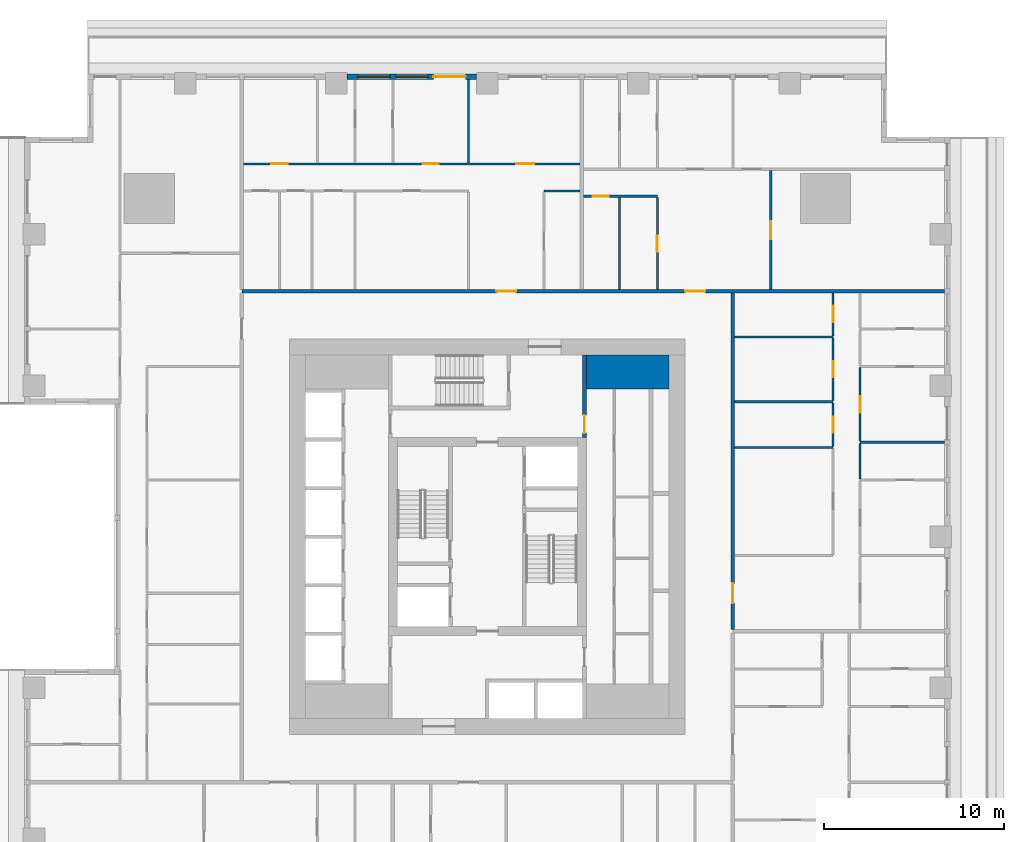
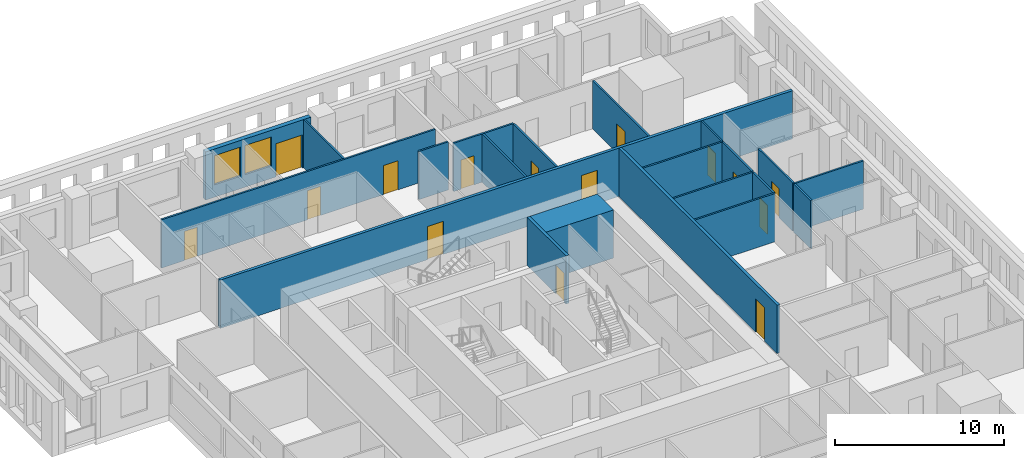
# One storey, part 8 of 15: 21 walls, 15 doors, 2 windows, 17 openings.
"""IFC4 building model written with IfcOpenShell, lengths in metres."""

from ifc_helpers import new_model, si_unit, direction, frame, frame_2d, origin, place, context, subcontext, project, spatial, rectangle, extrude, material, layer, layer_set, type_object, element, fill, save


model = new_model("IFC4")

# Units and contexts
model_context = context("Model", 3, precision=1e-05, world=origin(), true_north=direction((0.0, 1.0)))
body_context = subcontext(model_context, "Body", "Model", "MODEL_VIEW")
ifc_project = project(units=[si_unit("LENGTHUNIT", "METRE"), si_unit("AREAUNIT", "SQUARE_METRE"), si_unit("VOLUMEUNIT", "CUBIC_METRE"), si_unit("PLANEANGLEUNIT", "RADIAN"), si_unit("MASSUNIT", "GRAM", prefix="KILO")], contexts=[model_context])

# Site, building, storey
site_placement = place(None, origin())
site = spatial("IfcSite", under=ifc_project, at=site_placement, CompositionType="ELEMENT")
building_placement = place(site_placement, origin())
building = spatial("IfcBuilding", under=site, at=building_placement, Name="Khepri Terraces", CompositionType="ELEMENT")
storey_placement = place(building_placement, frame((0.0, 0.0, 98.699951171875)))
storey = spatial("IfcBuildingStorey", under=building, at=storey_placement, Name="L23", CompositionType="ELEMENT", Elevation=98.699951171875)

# Wall
ifc_material_1 = material(Name="Concrete C70/85", Category="concrete")
ifc_layer_1 = layer(ifc_material_1, 1.89990234375, Name="Concrete C70/85", Category="concrete")
ifc_layer_set_1 = layer_set([ifc_layer_1], Name="Concrete C70/85")
wall_type_1 = type_object("IfcWallType", Name="Core wall 1900 C70/85", PredefinedType="SHEAR", material=ifc_layer_set_1)
wall_1_placement = place(storey_placement, frame((5.5, 9.14990234375, 0.0), z_axis=(0.0, 0.0, 1.0), x_axis=(1.0, 0.0, 0.0)))
element("IfcWall", 1, at=wall_1_placement, inside=storey, type_object=wall_type_1, Name="Core wall PR04 L23", PredefinedType="SHEAR", context=body_context, shape_type="SweptSolid", body=[
    extrude(rectangle(XDim=4.60009765625, YDim=1.89990234375, at=frame_2d((2.300048828125, 0.0))), origin(), (0.0, 0.0, 1.0), 3.47998046875),
])

# Wall, opening, door
ifc_material_2 = material(Name="Fire-rated gypsum board partition")
ifc_layer_2 = layer(ifc_material_2, 0.199951171875, Name="Fire-rated gypsum board partition")
ifc_layer_set_2 = layer_set([ifc_layer_2], Name="Fire-rated gypsum board partition")
wall_type_2 = type_object("IfcWallType", Name="WL-CORE-PART-200", PredefinedType="PARTITIONING", material=ifc_layer_set_2)
wall_2_placement = place(storey_placement, frame((5.39990234375, 5.5, 0.0), z_axis=(0.0, 0.0, 1.0), x_axis=(0.0, 1.0, 0.0)))
wall_2 = element("IfcWall", 2, at=wall_2_placement, inside=storey, type_object=wall_type_2, Name="Core partition PT08 L23", PredefinedType="PARTITIONING", context=body_context, shape_type="SweptSolid", body=[
    extrude(rectangle(XDim=4.60009765625, YDim=0.199951171875, at=frame_2d((2.300048828125, 0.0))), origin(), (0.0, 0.0, 1.0), 3.47998046875),
])
opening_1_placement = place(wall_2_placement, frame((0.25, 0.0, 0.0)))
opening_1 = element("IfcOpeningElement", 3, at=opening_1_placement, cuts=wall_2, Name="Opening L23-C17", PredefinedType="OPENING", context=body_context, shape_type="SweptSolid", body=[
    extrude(rectangle(XDim=1.0, YDim=2.10009765625, at=frame_2d((0.5, 1.050048828125))), frame((0.0, 0.10986328125, 0.0), z_axis=(0.0, -1.0, 0.0), x_axis=(1.0, 0.0, 0.0)), (0.0, 0.0, 1.0), 0.219970703125),
])
ifc_material_3 = material(Name="Painted steel", Category="steel")
door_type_1 = type_object("IfcDoorType", Name="DR-CORE-LOBBY-1000", OperationType="NOTDEFINED", PredefinedType="DOOR", material=ifc_material_3)
door_1_placement = place(opening_1_placement, origin())
door_1 = element("IfcDoor", 4, at=door_1_placement, inside=storey, type_object=door_type_1, Name="Lobby door L23-C17", OperationType="SINGLE_SWING_LEFT", OverallHeight=2.10009765625, OverallWidth=1.0, PredefinedType="DOOR", context=body_context, shape_type="SweptSolid", body=[
    extrude(rectangle(XDim=1.0, YDim=2.10009765625, at=frame_2d((0.5, 1.050048828125))), frame((0.0, 0.02490234375, 0.0), z_axis=(0.0, -1.0, 0.0), x_axis=(1.0, 0.0, 0.0)), (0.0, 0.0, 1.0), 0.050048828125),
])
fill(opening_1, door_1)

ifc_material_4 = material(Name="Fire-rated gypsum plasterboard partition, mineral wool")
ifc_layer_3 = layer(ifc_material_4, 0.199951171875, Name="Fire-rated gypsum plasterboard partition, mineral wool")
ifc_layer_set_3 = layer_set([ifc_layer_3], Name="Fire-rated gypsum plasterboard partition, mineral wool")
wall_type_3 = type_object("IfcWallType", Name="WL-CORR-200", PredefinedType="PARTITIONING", material=ifc_layer_set_3)
wall_3_placement = place(storey_placement, frame((13.64990234375, -5.14990234375, 0.0), z_axis=(0.0, 0.0, 1.0), x_axis=(0.0, 1.0, 0.0)))
wall_3 = element("IfcWall", 5, at=wall_3_placement, inside=storey, type_object=wall_type_3, Name="Partition P-052 L23", PredefinedType="PARTITIONING", context=body_context, shape_type="SweptSolid", body=[
    extrude(rectangle(XDim=18.699951171875, YDim=0.199951171875, at=frame_2d((9.35009765625, 0.0))), origin(), (0.0, 0.0, 1.0), 3.47998046875),
])
opening_2_placement = place(wall_3_placement, frame((1.449951171875, 0.0, 0.0)))
opening_2 = element("IfcOpeningElement", 6, at=opening_2_placement, cuts=wall_3, Name="Opening D1", PredefinedType="OPENING", context=body_context, shape_type="SweptSolid", body=[
    extrude(rectangle(XDim=1.10009765625, YDim=2.39990234375, at=frame_2d((0.550048828125, 1.199951171875))), frame((0.0, 0.10986328125, 0.0), z_axis=(0.0, -1.0, 0.0), x_axis=(1.0, 0.0, 0.0)), (0.0, 0.0, 1.0), 0.219970703125),
])
ifc_material_5 = material(Name="Solid-core timber door leaf, flat entrance door", Category="wood")
door_type_2 = type_object("IfcDoorType", Name="DR-ENT-1100", OperationType="NOTDEFINED", PredefinedType="DOOR", material=ifc_material_5)
door_2_placement = place(opening_2_placement, frame((1.10009765625, 0.0, 0.0), z_axis=(0.0, 0.0, 1.0), x_axis=(-1.0, 0.0, 0.0)))
door_2 = element("IfcDoor", 7, at=door_2_placement, inside=storey, type_object=door_type_2, Name="Flat B2 entrance door", OperationType="SINGLE_SWING_RIGHT", OverallHeight=2.39990234375, OverallWidth=1.10009765625, PredefinedType="DOOR", context=body_context, shape_type="SweptSolid", body=[
    extrude(rectangle(XDim=1.10009765625, YDim=2.39990234375, at=frame_2d((0.550048828125, 1.199951171875))), frame((0.0, 0.02490234375, 0.0), z_axis=(0.0, -1.0, 0.0), x_axis=(1.0, 0.0, 0.0)), (0.0, 0.0, 1.0), 0.050048828125),
])
fill(opening_2, door_2)

# Wall, openings, doors
wall_4_placement = place(storey_placement, frame((-13.64990234375, 13.64990234375, 0.0), z_axis=(0.0, 0.0, 1.0), x_axis=(1.0, 0.0, 0.0)))
wall_4 = element("IfcWall", 8, at=wall_4_placement, inside=storey, type_object=wall_type_3, Name="Partition P-081 L23", PredefinedType="PARTITIONING", context=body_context, shape_type="SweptSolid", body=[
    extrude(rectangle(XDim=39.06982421875, YDim=0.199951171875, at=frame_2d((19.534912109375, 0.0))), origin(), (0.0, 0.0, 1.0), 3.47998046875),
])
opening_3_placement = place(wall_4_placement, frame((24.64990234375, 0.0, 0.0)))
opening_3 = element("IfcOpeningElement", 9, at=opening_3_placement, cuts=wall_4, Name="Opening D1", PredefinedType="OPENING", context=body_context, shape_type="SweptSolid", body=[
    extrude(rectangle(XDim=1.10009765625, YDim=2.39990234375, at=frame_2d((0.550048828125, 1.199951171875))), frame((0.0, 0.10986328125, 0.0), z_axis=(0.0, -1.0, 0.0), x_axis=(1.0, 0.0, 0.0)), (0.0, 0.0, 1.0), 0.219970703125),
])
opening_4_placement = place(wall_4_placement, frame((14.14990234375, 0.0, 0.0)))
opening_4 = element("IfcOpeningElement", 10, at=opening_4_placement, cuts=wall_4, Name="Opening D1", PredefinedType="OPENING", context=body_context, shape_type="SweptSolid", body=[
    extrude(rectangle(XDim=1.10009765625, YDim=2.39990234375, at=frame_2d((0.550048828125, 1.199951171875))), frame((0.0, 0.10986328125, 0.0), z_axis=(0.0, -1.0, 0.0), x_axis=(1.0, 0.0, 0.0)), (0.0, 0.0, 1.0), 0.219970703125),
])
door_3_placement = place(opening_3_placement, origin())
door_3 = element("IfcDoor", 11, at=door_3_placement, inside=storey, type_object=door_type_2, Name="Flat C1 entrance door", OperationType="SINGLE_SWING_RIGHT", OverallHeight=2.39990234375, OverallWidth=1.10009765625, PredefinedType="DOOR", context=body_context, shape_type="SweptSolid", body=[
    extrude(rectangle(XDim=1.10009765625, YDim=2.39990234375, at=frame_2d((0.550048828125, 1.199951171875))), frame((0.0, 0.02490234375, 0.0), z_axis=(0.0, -1.0, 0.0), x_axis=(1.0, 0.0, 0.0)), (0.0, 0.0, 1.0), 0.050048828125),
])
fill(opening_3, door_3)
door_4_placement = place(opening_4_placement, origin())
door_4 = element("IfcDoor", 12, at=door_4_placement, inside=storey, type_object=door_type_2, Name="Flat C2 entrance door", OperationType="SINGLE_SWING_LEFT", OverallHeight=2.39990234375, OverallWidth=1.10009765625, PredefinedType="DOOR", context=body_context, shape_type="SweptSolid", body=[
    extrude(rectangle(XDim=1.10009765625, YDim=2.39990234375, at=frame_2d((0.550048828125, 1.199951171875))), frame((0.0, 0.02490234375, 0.0), z_axis=(0.0, -1.0, 0.0), x_axis=(1.0, 0.0, 0.0)), (0.0, 0.0, 1.0), 0.050048828125),
])
fill(opening_4, door_4)

# Wall, openings, door, windows
ifc_material_6 = material(Name="Precast concrete C50/60 warm stone", Category="masonry")
ifc_layer_4 = layer(ifc_material_6, 0.300048828125, Name="Precast concrete C50/60 warm stone", Category="masonry")
ifc_layer_set_4 = layer_set([ifc_layer_4], Name="Precast concrete C50/60 warm stone")
wall_type_4 = type_object("IfcWallType", Name="WL-EXT-PRECAST-300", PredefinedType="STANDARD", material=ifc_layer_set_4)
wall_5_placement = place(storey_placement, frame((-0.60009765625, 25.570068359375, 0.0), z_axis=(0.0, 0.0, 1.0), x_axis=(-1.0, 0.0, 0.0)))
wall_5 = element("IfcWall", 13, at=wall_5_placement, inside=storey, type_object=wall_type_4, Name="External wall L23 N", PredefinedType="STANDARD", context=body_context, shape_type="SweptSolid", body=[
    extrude(rectangle(XDim=7.199951171875, YDim=0.300048828125, at=frame_2d((3.60009765625, 0.0))), origin(), (0.0, 0.0, 1.0), 3.47998046875),
])
opening_5_placement = place(wall_5_placement, frame((0.60009765625, 0.0, 0.0)))
opening_5 = element("IfcOpeningElement", 14, at=opening_5_placement, cuts=wall_5, Name="Opening ED-L23-11", PredefinedType="OPENING", context=body_context, shape_type="SweptSolid", body=[
    extrude(rectangle(XDim=1.800048828125, YDim=2.39990234375, at=frame_2d((0.89990234375, 1.199951171875))), frame((0.0, 0.16015625, 0.0), z_axis=(0.0, -1.0, 0.0), x_axis=(1.0, 0.0, 0.0)), (0.0, 0.0, 1.0), 0.320068359375),
])
opening_6_placement = place(wall_5_placement, frame((2.699951171875, 0.0, 0.89990234375)))
opening_6 = element("IfcOpeningElement", 15, at=opening_6_placement, cuts=wall_5, Name="Opening W1", PredefinedType="OPENING", context=body_context, shape_type="SweptSolid", body=[
    extrude(rectangle(XDim=1.800048828125, YDim=2.10009765625, at=frame_2d((0.89990234375, 1.050048828125))), frame((0.0, 0.16015625, 0.0), z_axis=(0.0, -1.0, 0.0), x_axis=(1.0, 0.0, 0.0)), (0.0, 0.0, 1.0), 0.320068359375),
])
opening_7_placement = place(wall_5_placement, frame((4.800048828125, 0.0, 0.89990234375)))
opening_7 = element("IfcOpeningElement", 16, at=opening_7_placement, cuts=wall_5, Name="Opening W1", PredefinedType="OPENING", context=body_context, shape_type="SweptSolid", body=[
    extrude(rectangle(XDim=1.800048828125, YDim=2.10009765625, at=frame_2d((0.89990234375, 1.050048828125))), frame((0.0, 0.16015625, 0.0), z_axis=(0.0, -1.0, 0.0), x_axis=(1.0, 0.0, 0.0)), (0.0, 0.0, 1.0), 0.320068359375),
])
ifc_material_7 = material(Name="Anodised aluminium bronze glazed door", Category="aluminium")
door_type_3 = type_object("IfcDoorType", Name="DR-BAL-SLIDE-1800x2400", OperationType="NOTDEFINED", PredefinedType="DOOR", material=ifc_material_7)
door_5_placement = place(opening_5_placement, origin())
door_5 = element("IfcDoor", 17, at=door_5_placement, inside=storey, type_object=door_type_3, Name="Balcony door L23 N", OperationType="SLIDING_TO_LEFT", OverallHeight=2.39990234375, OverallWidth=1.800048828125, PredefinedType="DOOR", context=body_context, shape_type="SweptSolid", body=[
    extrude(rectangle(XDim=1.800048828125, YDim=2.39990234375, at=frame_2d((0.89990234375, 1.199951171875))), frame((0.0, 0.02490234375, 0.0), z_axis=(0.0, -1.0, 0.0), x_axis=(1.0, 0.0, 0.0)), (0.0, 0.0, 1.0), 0.050048828125),
])
fill(opening_5, door_5)
ifc_material_8 = material(Name="Clear glass", Category="glass")
window_type = type_object("IfcWindowType", Name="WIN-RES-1800x2100", PartitioningType="SINGLE_PANEL", PredefinedType="WINDOW", material=ifc_material_8)
window_1_placement = place(opening_6_placement, origin())
window_1 = element("IfcWindow", 18, at=window_1_placement, inside=storey, type_object=window_type, Name="Window L23 N", OverallHeight=2.10009765625, OverallWidth=1.800048828125, PartitioningType="SINGLE_PANEL", PredefinedType="WINDOW", context=body_context, shape_type="SweptSolid", body=[
    extrude(rectangle(XDim=1.800048828125, YDim=2.10009765625, at=frame_2d((0.89990234375, 1.050048828125))), frame((0.0, 0.030029296875, 0.0), z_axis=(0.0, -1.0, 0.0), x_axis=(1.0, 0.0, 0.0)), (0.0, 0.0, 1.0), 0.06005859375),
])
fill(opening_6, window_1)
window_2_placement = place(opening_7_placement, origin())
window_2 = element("IfcWindow", 19, at=window_2_placement, inside=storey, type_object=window_type, Name="Window L23 N", OverallHeight=2.10009765625, OverallWidth=1.800048828125, PartitioningType="SINGLE_PANEL", PredefinedType="WINDOW", context=body_context, shape_type="SweptSolid", body=[
    extrude(rectangle(XDim=1.800048828125, YDim=2.10009765625, at=frame_2d((0.89990234375, 1.050048828125))), frame((0.0, 0.030029296875, 0.0), z_axis=(0.0, -1.0, 0.0), x_axis=(1.0, 0.0, 0.0)), (0.0, 0.0, 1.0), 0.06005859375),
])
fill(opening_7, window_2)

# Walls
ifc_material_9 = material(Name="Gypsum plasterboard partition")
ifc_layer_5 = layer(ifc_material_9, 0.1201171875, Name="Gypsum plasterboard partition")
ifc_layer_set_5 = layer_set([ifc_layer_5], Name="Gypsum plasterboard partition")
wall_type_5 = type_object("IfcWallType", Name="WL-PART-120", PredefinedType="PARTITIONING", material=ifc_layer_set_5)
wall_6_placement = place(storey_placement, frame((20.719970703125, 3.2099609375, 0.0), z_axis=(0.0, 0.0, 1.0), x_axis=(0.0, 1.0, 0.0)))
element("IfcWall", 20, at=wall_6_placement, inside=storey, type_object=wall_type_5, Name="Partition P-063 L23", PredefinedType="PARTITIONING", context=body_context, shape_type="SweptSolid", body=[
    extrude(rectangle(XDim=1.97998046875, YDim=0.1201171875, at=frame_2d((0.989990234375, 0.0))), origin(), (0.0, 0.0, 1.0), 3.47998046875),
])
wall_7_placement = place(storey_placement, frame((13.75, 4.949951171875, 0.0), z_axis=(0.0, 0.0, 1.0), x_axis=(1.0, 0.0, 0.0)))
element("IfcWall", 21, at=wall_7_placement, inside=storey, type_object=wall_type_5, Name="Partition P-064 L23", PredefinedType="PARTITIONING", context=body_context, shape_type="SweptSolid", body=[
    extrude(rectangle(XDim=5.469970703125, YDim=0.1201171875, at=frame_2d((2.73486328125, 0.0))), origin(), (0.0, 0.0, 1.0), 3.47998046875),
])

# Wall, opening, door
wall_8_placement = place(storey_placement, frame((19.219970703125, 5.010009765625, 0.0), z_axis=(0.0, 0.0, 1.0), x_axis=(0.0, 1.0, 0.0)))
wall_8 = element("IfcWall", 22, at=wall_8_placement, inside=storey, type_object=wall_type_5, Name="Partition P-065 L23", PredefinedType="PARTITIONING", context=body_context, shape_type="SweptSolid", body=[
    extrude(rectangle(XDim=2.429931640625, YDim=0.1201171875, at=frame_2d((1.21484375, 0.0))), origin(), (0.0, 0.0, 1.0), 3.47998046875),
])
opening_8_placement = place(wall_8_placement, frame((0.764892578125, 0.0, 0.0)))
opening_8 = element("IfcOpeningElement", 23, at=opening_8_placement, cuts=wall_8, Name="Opening D4", PredefinedType="OPENING", context=body_context, shape_type="SweptSolid", body=[
    extrude(rectangle(XDim=0.89990234375, YDim=2.10009765625, at=frame_2d((0.449951171875, 1.050048828125))), frame((0.0, 0.070068359375, 0.0), z_axis=(0.0, -1.0, 0.0), x_axis=(1.0, 0.0, 0.0)), (0.0, 0.0, 1.0), 0.14013671875),
])
ifc_material_10 = material(Name="Timber door leaf, moisture resistant", Category="wood")
door_type_4 = type_object("IfcDoorType", Name="DR-WET-900", OperationType="NOTDEFINED", PredefinedType="DOOR", material=ifc_material_10)
door_6_placement = place(opening_8_placement, origin())
door_6 = element("IfcDoor", 24, at=door_6_placement, inside=storey, type_object=door_type_4, Name="Door Powder Room", OperationType="SINGLE_SWING_LEFT", OverallHeight=2.10009765625, OverallWidth=0.89990234375, PredefinedType="DOOR", context=body_context, shape_type="SweptSolid", body=[
    extrude(rectangle(XDim=0.89990234375, YDim=2.10009765625, at=frame_2d((0.449951171875, 1.050048828125))), frame((0.0, 0.02490234375, 0.0), z_axis=(0.0, -1.0, 0.0), x_axis=(1.0, 0.0, 0.0)), (0.0, 0.0, 1.0), 0.050048828125),
])
fill(opening_8, door_6)

# Wall
wall_9_placement = place(storey_placement, frame((20.719970703125, 5.25, 0.0), z_axis=(0.0, 0.0, 1.0), x_axis=(1.0, 0.0, 0.0)))
element("IfcWall", 25, at=wall_9_placement, inside=storey, type_object=wall_type_5, Name="Partition P-066 L23", PredefinedType="PARTITIONING", context=body_context, shape_type="SweptSolid", body=[
    extrude(rectangle(XDim=4.699951171875, YDim=0.1201171875, at=frame_2d((2.35009765625, 0.0))), origin(), (0.0, 0.0, 1.0), 3.47998046875),
])

# Wall, opening, door
wall_10_placement = place(storey_placement, frame((20.719970703125, 5.31005859375, 0.0), z_axis=(0.0, 0.0, 1.0), x_axis=(0.0, 1.0, 0.0)))
wall_10 = element("IfcWall", 26, at=wall_10_placement, inside=storey, type_object=wall_type_5, Name="Partition P-067 L23", PredefinedType="PARTITIONING", context=body_context, shape_type="SweptSolid", body=[
    extrude(rectangle(XDim=4.079833984375, YDim=0.1201171875, at=frame_2d((2.0400390625, 0.0))), origin(), (0.0, 0.0, 1.0), 3.47998046875),
])
opening_9_placement = place(wall_10_placement, frame((1.590087890625, 0.0, 0.0)))
opening_9 = element("IfcOpeningElement", 27, at=opening_9_placement, cuts=wall_10, Name="Opening D3", PredefinedType="OPENING", context=body_context, shape_type="SweptSolid", body=[
    extrude(rectangle(XDim=0.89990234375, YDim=2.10009765625, at=frame_2d((0.449951171875, 1.050048828125))), frame((0.0, 0.070068359375, 0.0), z_axis=(0.0, -1.0, 0.0), x_axis=(1.0, 0.0, 0.0)), (0.0, 0.0, 1.0), 0.14013671875),
])
ifc_material_11 = material(Name="Timber door leaf", Category="wood")
door_type_5 = type_object("IfcDoorType", Name="DR-INT-900", OperationType="NOTDEFINED", PredefinedType="DOOR", material=ifc_material_11)
door_7_placement = place(opening_9_placement, frame((0.89990234375, 0.0, 0.0), z_axis=(0.0, 0.0, 1.0), x_axis=(-1.0, 0.0, 0.0)))
door_7 = element("IfcDoor", 28, at=door_7_placement, inside=storey, type_object=door_type_5, Name="Door Master Bedroom", OperationType="SINGLE_SWING_RIGHT", OverallHeight=2.10009765625, OverallWidth=0.89990234375, PredefinedType="DOOR", context=body_context, shape_type="SweptSolid", body=[
    extrude(rectangle(XDim=0.89990234375, YDim=2.10009765625, at=frame_2d((0.449951171875, 1.050048828125))), frame((0.0, 0.02490234375, 0.0), z_axis=(0.0, -1.0, 0.0), x_axis=(1.0, 0.0, 0.0)), (0.0, 0.0, 1.0), 0.050048828125),
])
fill(opening_9, door_7)

# Wall
wall_11_placement = place(storey_placement, frame((13.75, 7.5, 0.0), z_axis=(0.0, 0.0, 1.0), x_axis=(1.0, 0.0, 0.0)))
element("IfcWall", 29, at=wall_11_placement, inside=storey, type_object=wall_type_5, Name="Partition P-070 L23", PredefinedType="PARTITIONING", context=body_context, shape_type="SweptSolid", body=[
    extrude(rectangle(XDim=5.469970703125, YDim=0.1201171875, at=frame_2d((2.73486328125, 0.0))), origin(), (0.0, 0.0, 1.0), 3.47998046875),
])

# Wall, opening, door
wall_12_placement = place(storey_placement, frame((19.219970703125, 7.56005859375, 0.0), z_axis=(0.0, 0.0, 1.0), x_axis=(0.0, 1.0, 0.0)))
wall_12 = element("IfcWall", 30, at=wall_12_placement, inside=storey, type_object=wall_type_5, Name="Partition P-071 L23", PredefinedType="PARTITIONING", context=body_context, shape_type="SweptSolid", body=[
    extrude(rectangle(XDim=3.47998046875, YDim=0.1201171875, at=frame_2d((1.739990234375, 0.0))), origin(), (0.0, 0.0, 1.0), 3.47998046875),
])
opening_10_placement = place(wall_12_placement, frame((1.2900390625, 0.0, 0.0)))
opening_10 = element("IfcOpeningElement", 31, at=opening_10_placement, cuts=wall_12, Name="Opening D3", PredefinedType="OPENING", context=body_context, shape_type="SweptSolid", body=[
    extrude(rectangle(XDim=0.89990234375, YDim=2.10009765625, at=frame_2d((0.449951171875, 1.050048828125))), frame((0.0, 0.070068359375, 0.0), z_axis=(0.0, -1.0, 0.0), x_axis=(1.0, 0.0, 0.0)), (0.0, 0.0, 1.0), 0.14013671875),
])
door_8_placement = place(opening_10_placement, origin())
door_8 = element("IfcDoor", 32, at=door_8_placement, inside=storey, type_object=door_type_5, Name="Door Staff Bedroom", OperationType="SINGLE_SWING_RIGHT", OverallHeight=2.10009765625, OverallWidth=0.89990234375, PredefinedType="DOOR", context=body_context, shape_type="SweptSolid", body=[
    extrude(rectangle(XDim=0.89990234375, YDim=2.10009765625, at=frame_2d((0.449951171875, 1.050048828125))), frame((0.0, 0.02490234375, 0.0), z_axis=(0.0, -1.0, 0.0), x_axis=(1.0, 0.0, 0.0)), (0.0, 0.0, 1.0), 0.050048828125),
])
fill(opening_10, door_8)

# Wall
wall_13_placement = place(storey_placement, frame((13.75, 11.10009765625, 0.0), z_axis=(0.0, 0.0, 1.0), x_axis=(1.0, 0.0, 0.0)))
element("IfcWall", 33, at=wall_13_placement, inside=storey, type_object=wall_type_5, Name="Partition P-075 L23", PredefinedType="PARTITIONING", context=body_context, shape_type="SweptSolid", body=[
    extrude(rectangle(XDim=5.469970703125, YDim=0.1201171875, at=frame_2d((2.73486328125, 0.0))), origin(), (0.0, 0.0, 1.0), 3.47998046875),
])

# Wall, opening, door
wall_14_placement = place(storey_placement, frame((19.219970703125, 11.159912109375, 0.0), z_axis=(0.0, 0.0, 1.0), x_axis=(0.0, 1.0, 0.0)))
wall_14 = element("IfcWall", 34, at=wall_14_placement, inside=storey, type_object=wall_type_5, Name="Partition P-076 L23", PredefinedType="PARTITIONING", context=body_context, shape_type="SweptSolid", body=[
    extrude(rectangle(XDim=2.39013671875, YDim=0.1201171875, at=frame_2d((1.195068359375, 0.0))), origin(), (0.0, 0.0, 1.0), 3.47998046875),
])
opening_11_placement = place(wall_14_placement, frame((0.764892578125, 0.0, 0.0)))
opening_11 = element("IfcOpeningElement", 35, at=opening_11_placement, cuts=wall_14, Name="Opening D4", PredefinedType="OPENING", context=body_context, shape_type="SweptSolid", body=[
    extrude(rectangle(XDim=0.89990234375, YDim=2.10009765625, at=frame_2d((0.449951171875, 1.050048828125))), frame((0.0, 0.070068359375, 0.0), z_axis=(0.0, -1.0, 0.0), x_axis=(1.0, 0.0, 0.0)), (0.0, 0.0, 1.0), 0.14013671875),
])
door_9_placement = place(opening_11_placement, origin())
door_9 = element("IfcDoor", 36, at=door_9_placement, inside=storey, type_object=door_type_4, Name="Door Guest Bathroom", OperationType="SINGLE_SWING_RIGHT", OverallHeight=2.10009765625, OverallWidth=0.89990234375, PredefinedType="DOOR", context=body_context, shape_type="SweptSolid", body=[
    extrude(rectangle(XDim=0.89990234375, YDim=2.10009765625, at=frame_2d((0.449951171875, 1.050048828125))), frame((0.0, 0.02490234375, 0.0), z_axis=(0.0, -1.0, 0.0), x_axis=(1.0, 0.0, 0.0)), (0.0, 0.0, 1.0), 0.050048828125),
])
fill(opening_11, door_9)

# Wall
wall_15_placement = place(storey_placement, frame((7.35009765625, 13.75, 0.0), z_axis=(0.0, 0.0, 1.0), x_axis=(0.0, 1.0, 0.0)))
element("IfcWall", 37, at=wall_15_placement, inside=storey, type_object=wall_type_5, Name="Partition P-089 L23", PredefinedType="PARTITIONING", context=body_context, shape_type="SweptSolid", body=[
    extrude(rectangle(XDim=5.110107421875, YDim=0.1201171875, at=frame_2d((2.55517578125, 0.0))), origin(), (0.0, 0.0, 1.0), 3.47998046875),
])

# Wall, opening, door
wall_16_placement = place(storey_placement, frame((9.449951171875, 13.75, 0.0), z_axis=(0.0, 0.0, 1.0), x_axis=(0.0, 1.0, 0.0)))
wall_16 = element("IfcWall", 38, at=wall_16_placement, inside=storey, type_object=wall_type_5, Name="Partition P-090 L23", PredefinedType="PARTITIONING", context=body_context, shape_type="SweptSolid", body=[
    extrude(rectangle(XDim=5.110107421875, YDim=0.1201171875, at=frame_2d((2.55517578125, 0.0))), origin(), (0.0, 0.0, 1.0), 3.47998046875),
])
opening_12_placement = place(wall_16_placement, frame((2.0849609375, 0.0, 0.0)))
opening_12 = element("IfcOpeningElement", 39, at=opening_12_placement, cuts=wall_16, Name="Opening D4", PredefinedType="OPENING", context=body_context, shape_type="SweptSolid", body=[
    extrude(rectangle(XDim=0.89990234375, YDim=2.10009765625, at=frame_2d((0.449951171875, 1.050048828125))), frame((0.0, 0.070068359375, 0.0), z_axis=(0.0, -1.0, 0.0), x_axis=(1.0, 0.0, 0.0)), (0.0, 0.0, 1.0), 0.14013671875),
])
door_10_placement = place(opening_12_placement, origin())
door_10 = element("IfcDoor", 40, at=door_10_placement, inside=storey, type_object=door_type_4, Name="Door Guest Bathroom", OperationType="SINGLE_SWING_LEFT", OverallHeight=2.10009765625, OverallWidth=0.89990234375, PredefinedType="DOOR", context=body_context, shape_type="SweptSolid", body=[
    extrude(rectangle(XDim=0.89990234375, YDim=2.10009765625, at=frame_2d((0.449951171875, 1.050048828125))), frame((0.0, 0.02490234375, 0.0), z_axis=(0.0, -1.0, 0.0), x_axis=(1.0, 0.0, 0.0)), (0.0, 0.0, 1.0), 0.050048828125),
])
fill(opening_12, door_10)

wall_17_placement = place(storey_placement, frame((15.75, 13.75, 0.0), z_axis=(0.0, 0.0, 1.0), x_axis=(0.0, 1.0, 0.0)))
wall_17 = element("IfcWall", 41, at=wall_17_placement, inside=storey, type_object=wall_type_5, Name="Partition P-091 L23", PredefinedType="PARTITIONING", context=body_context, shape_type="SweptSolid", body=[
    extrude(rectangle(XDim=6.610107421875, YDim=0.1201171875, at=frame_2d((3.30517578125, 0.0))), origin(), (0.0, 0.0, 1.0), 3.47998046875),
])
opening_13_placement = place(wall_17_placement, frame((2.784912109375, 0.0, 0.0)))
opening_13 = element("IfcOpeningElement", 42, at=opening_13_placement, cuts=wall_17, Name="Opening D2", PredefinedType="OPENING", context=body_context, shape_type="SweptSolid", body=[
    extrude(rectangle(XDim=1.0, YDim=2.10009765625, at=frame_2d((0.5, 1.050048828125))), frame((0.0, 0.070068359375, 0.0), z_axis=(0.0, -1.0, 0.0), x_axis=(1.0, 0.0, 0.0)), (0.0, 0.0, 1.0), 0.14013671875),
])
ifc_material_12 = material(Name="Timber door leaf, living room door", Category="wood")
door_type_6 = type_object("IfcDoorType", Name="DR-INT-1000", OperationType="NOTDEFINED", PredefinedType="DOOR", material=ifc_material_12)
door_11_placement = place(opening_13_placement, frame((1.0, 0.0, 0.0), z_axis=(0.0, 0.0, 1.0), x_axis=(-1.0, 0.0, 0.0)))
door_11 = element("IfcDoor", 43, at=door_11_placement, inside=storey, type_object=door_type_6, Name="Door Family Room", OperationType="SINGLE_SWING_RIGHT", OverallHeight=2.10009765625, OverallWidth=1.0, PredefinedType="DOOR", context=body_context, shape_type="SweptSolid", body=[
    extrude(rectangle(XDim=1.0, YDim=2.10009765625, at=frame_2d((0.5, 1.050048828125))), frame((0.0, 0.02490234375, 0.0), z_axis=(0.0, -1.0, 0.0), x_axis=(1.0, 0.0, 0.0)), (0.0, 0.0, 1.0), 0.050048828125),
])
fill(opening_13, door_11)

wall_18_placement = place(storey_placement, frame((5.35009765625, 18.919921875, 0.0), z_axis=(0.0, 0.0, 1.0), x_axis=(1.0, 0.0, 0.0)))
wall_18 = element("IfcWall", 44, at=wall_18_placement, inside=storey, type_object=wall_type_5, Name="Partition P-094 L23", PredefinedType="PARTITIONING", context=body_context, shape_type="SweptSolid", body=[
    extrude(rectangle(XDim=4.099853515625, YDim=0.1201171875, at=frame_2d((2.0498046875, 0.0))), origin(), (0.0, 0.0, 1.0), 3.47998046875),
])
opening_14_placement = place(wall_18_placement, frame((0.5, 0.0, 0.0)))
opening_14 = element("IfcOpeningElement", 45, at=opening_14_placement, cuts=wall_18, Name="Opening D3", PredefinedType="OPENING", context=body_context, shape_type="SweptSolid", body=[
    extrude(rectangle(XDim=0.89990234375, YDim=2.10009765625, at=frame_2d((0.449951171875, 1.050048828125))), frame((0.0, 0.070068359375, 0.0), z_axis=(0.0, -1.0, 0.0), x_axis=(1.0, 0.0, 0.0)), (0.0, 0.0, 1.0), 0.14013671875),
])
door_12_placement = place(opening_14_placement, frame((0.89990234375, 0.0, 0.0), z_axis=(0.0, 0.0, 1.0), x_axis=(-1.0, 0.0, 0.0)))
door_12 = element("IfcDoor", 46, at=door_12_placement, inside=storey, type_object=door_type_5, Name="Door Kitchen", OperationType="SINGLE_SWING_RIGHT", OverallHeight=2.10009765625, OverallWidth=0.89990234375, PredefinedType="DOOR", context=body_context, shape_type="SweptSolid", body=[
    extrude(rectangle(XDim=0.89990234375, YDim=2.10009765625, at=frame_2d((0.449951171875, 1.050048828125))), frame((0.0, 0.02490234375, 0.0), z_axis=(0.0, -1.0, 0.0), x_axis=(1.0, 0.0, 0.0)), (0.0, 0.0, 1.0), 0.050048828125),
])
fill(opening_14, door_12)

# Wall
wall_19_placement = place(storey_placement, frame((3.14990234375, 19.219970703125, 0.0), z_axis=(0.0, 0.0, 1.0), x_axis=(1.0, 0.0, 0.0)))
element("IfcWall", 47, at=wall_19_placement, inside=storey, type_object=wall_type_5, Name="Partition P-096 L23", PredefinedType="PARTITIONING", context=body_context, shape_type="SweptSolid", body=[
    extrude(rectangle(XDim=2.0, YDim=0.1201171875, at=frame_2d((1.0, 0.0))), origin(), (0.0, 0.0, 1.0), 3.47998046875),
])

# Wall, openings, doors
wall_20_placement = place(storey_placement, frame((-13.550048828125, 20.719970703125, 0.0), z_axis=(0.0, 0.0, 1.0), x_axis=(1.0, 0.0, 0.0)))
wall_20 = element("IfcWall", 48, at=wall_20_placement, inside=storey, type_object=wall_type_5, Name="Partition P-101 L23", PredefinedType="PARTITIONING", context=body_context, shape_type="SweptSolid", body=[
    extrude(rectangle(XDim=18.699951171875, YDim=0.1201171875, at=frame_2d((9.35009765625, 0.0))), origin(), (0.0, 0.0, 1.0), 3.47998046875),
])
opening_15_placement = place(wall_20_placement, frame((15.14990234375, 0.0, 0.0)))
opening_15 = element("IfcOpeningElement", 49, at=opening_15_placement, cuts=wall_20, Name="Opening D2", PredefinedType="OPENING", context=body_context, shape_type="SweptSolid", body=[
    extrude(rectangle(XDim=1.0, YDim=2.10009765625, at=frame_2d((0.5, 1.050048828125))), frame((0.0, 0.070068359375, 0.0), z_axis=(0.0, -1.0, 0.0), x_axis=(1.0, 0.0, 0.0)), (0.0, 0.0, 1.0), 0.14013671875),
])
opening_16_placement = place(wall_20_placement, frame((9.949951171875, 0.0, 0.0)))
opening_16 = element("IfcOpeningElement", 50, at=opening_16_placement, cuts=wall_20, Name="Opening D3", PredefinedType="OPENING", context=body_context, shape_type="SweptSolid", body=[
    extrude(rectangle(XDim=0.89990234375, YDim=2.10009765625, at=frame_2d((0.449951171875, 1.050048828125))), frame((0.0, 0.070068359375, 0.0), z_axis=(0.0, -1.0, 0.0), x_axis=(1.0, 0.0, 0.0)), (0.0, 0.0, 1.0), 0.14013671875),
])
opening_17_placement = place(wall_20_placement, frame((1.550048828125, 0.0, 0.0)))
opening_17 = element("IfcOpeningElement", 51, at=opening_17_placement, cuts=wall_20, Name="Opening D3", PredefinedType="OPENING", context=body_context, shape_type="SweptSolid", body=[
    extrude(rectangle(XDim=0.89990234375, YDim=2.10009765625, at=frame_2d((0.449951171875, 1.050048828125))), frame((0.0, 0.070068359375, 0.0), z_axis=(0.0, -1.0, 0.0), x_axis=(1.0, 0.0, 0.0)), (0.0, 0.0, 1.0), 0.14013671875),
])
door_13_placement = place(opening_15_placement, origin())
door_13 = element("IfcDoor", 52, at=door_13_placement, inside=storey, type_object=door_type_6, Name="Door Living Room", OperationType="SINGLE_SWING_RIGHT", OverallHeight=2.10009765625, OverallWidth=1.0, PredefinedType="DOOR", context=body_context, shape_type="SweptSolid", body=[
    extrude(rectangle(XDim=1.0, YDim=2.10009765625, at=frame_2d((0.5, 1.050048828125))), frame((0.0, 0.02490234375, 0.0), z_axis=(0.0, -1.0, 0.0), x_axis=(1.0, 0.0, 0.0)), (0.0, 0.0, 1.0), 0.050048828125),
])
fill(opening_15, door_13)
door_14_placement = place(opening_16_placement, origin())
door_14 = element("IfcDoor", 53, at=door_14_placement, inside=storey, type_object=door_type_5, Name="Door Master Bedroom", OperationType="SINGLE_SWING_RIGHT", OverallHeight=2.10009765625, OverallWidth=0.89990234375, PredefinedType="DOOR", context=body_context, shape_type="SweptSolid", body=[
    extrude(rectangle(XDim=0.89990234375, YDim=2.10009765625, at=frame_2d((0.449951171875, 1.050048828125))), frame((0.0, 0.02490234375, 0.0), z_axis=(0.0, -1.0, 0.0), x_axis=(1.0, 0.0, 0.0)), (0.0, 0.0, 1.0), 0.050048828125),
])
fill(opening_16, door_14)
door_15_placement = place(opening_17_placement, origin())
door_15 = element("IfcDoor", 54, at=door_15_placement, inside=storey, type_object=door_type_5, Name="Door Study", OperationType="SINGLE_SWING_LEFT", OverallHeight=2.10009765625, OverallWidth=0.89990234375, PredefinedType="DOOR", context=body_context, shape_type="SweptSolid", body=[
    extrude(rectangle(XDim=0.89990234375, YDim=2.10009765625, at=frame_2d((0.449951171875, 1.050048828125))), frame((0.0, 0.02490234375, 0.0), z_axis=(0.0, -1.0, 0.0), x_axis=(1.0, 0.0, 0.0)), (0.0, 0.0, 1.0), 0.050048828125),
])
fill(opening_17, door_15)

# Wall
wall_21_placement = place(storey_placement, frame((-1.050048828125, 20.780029296875, 0.0), z_axis=(0.0, 0.0, 1.0), x_axis=(0.0, 1.0, 0.0)))
element("IfcWall", 55, at=wall_21_placement, inside=storey, type_object=wall_type_5, Name="Partition P-105 L23", PredefinedType="PARTITIONING", context=body_context, shape_type="SweptSolid", body=[
    extrude(rectangle(XDim=4.639892578125, YDim=0.1201171875, at=frame_2d((2.31982421875, 0.0))), origin(), (0.0, 0.0, 1.0), 3.47998046875),
])

save(model, "model.ifc")
